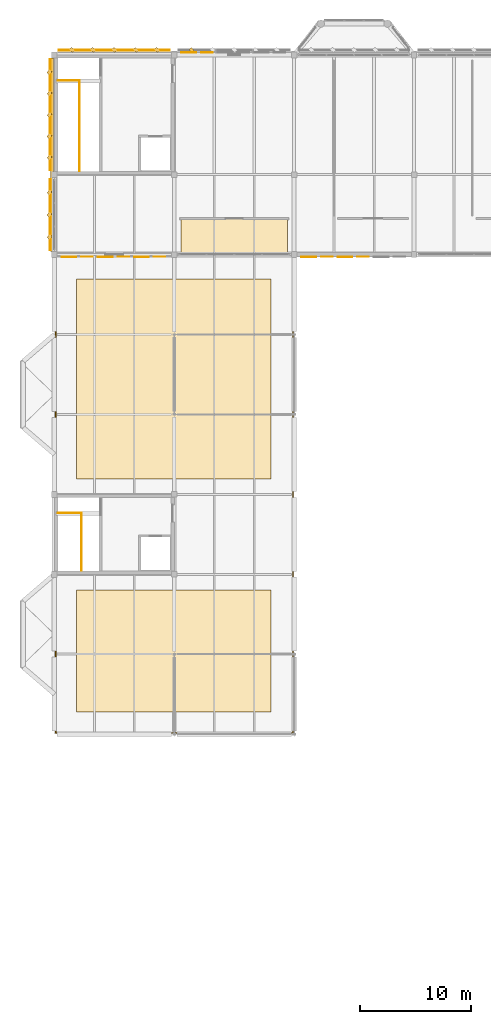
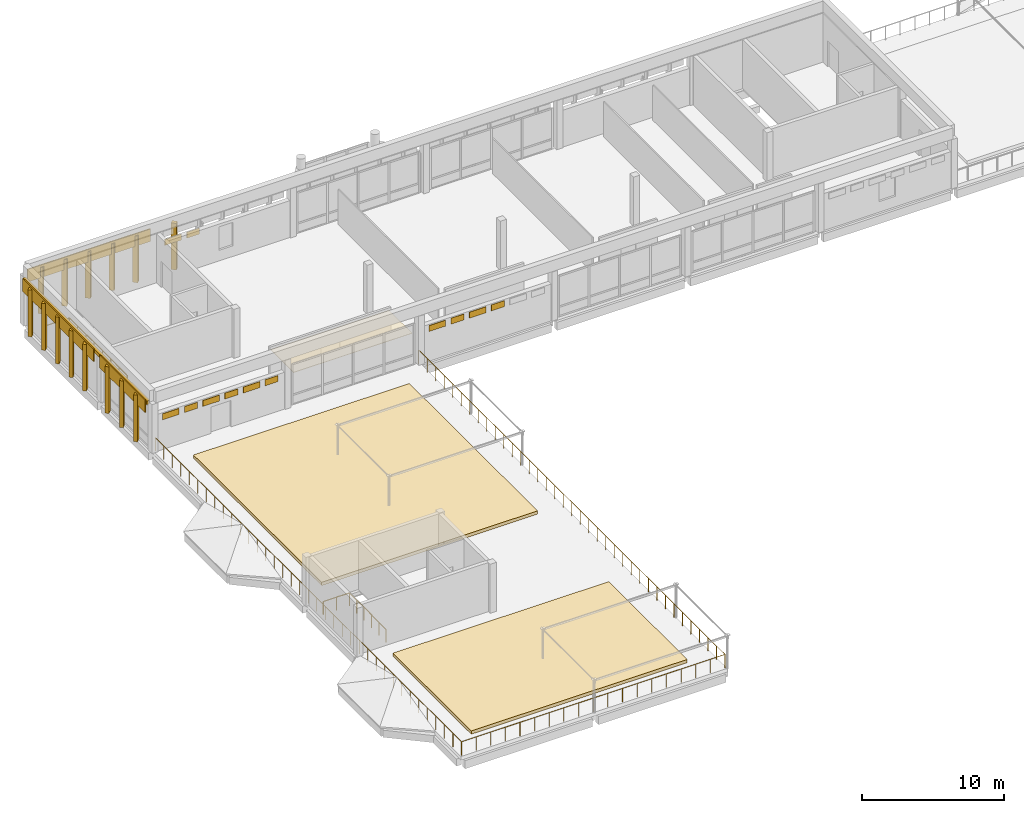
# One storey, part 29 of 33: 33 coverings, 3 railings.
"""IFC4 building model written with IfcOpenShell, lengths in metres."""

from ifc_helpers import new_model, si_unit, direction, frame, origin, origin_2d, place, context, subcontext, project, spatial, polyline, rectangle, circle, outline, extrude, material, layer, layer_set, type_object, element, save


model = new_model("IFC4")

# Units and contexts
model_context = context("Model", 3, precision=1e-05, world=origin(), true_north=direction((0.0, 1.0)))
body_context = subcontext(model_context, "Body", "Model", "MODEL_VIEW")
ifc_project = project(units=[si_unit("LENGTHUNIT", "METRE"), si_unit("AREAUNIT", "SQUARE_METRE"), si_unit("VOLUMEUNIT", "CUBIC_METRE"), si_unit("PLANEANGLEUNIT", "RADIAN"), si_unit("MASSUNIT", "GRAM", prefix="KILO")], contexts=[model_context])

# Site, building, storey
site_placement = place(None, origin())
site = spatial("IfcSite", under=ifc_project, at=site_placement, CompositionType="ELEMENT")
building_placement = place(site_placement, origin())
building = spatial("IfcBuilding", under=site, at=building_placement, Name="Lusvemor Sports Hall", CompositionType="ELEMENT")
storey_placement = place(building_placement, frame((0.0, 0.0, 19.199951171875)))
storey = spatial("IfcBuildingStorey", under=building, at=storey_placement, Name="L04", CompositionType="ELEMENT", Elevation=19.199951171875)

# Coverings
ifc_material_1 = material(Name="Precast granite-faced Concrete C40/50 architectural cladding", Category="masonry")
ifc_layer_1 = layer(ifc_material_1, 0.055908203125)
ifc_layer_set_1 = layer_set([ifc_layer_1], Name="Precast granite-faced Concrete C40/50 architectural cladding")
covering_type_1 = type_object("IfcCoveringType", Name="CLAD_RELIEF_FRIEZE", PredefinedType="CLADDING", material=ifc_layer_set_1)
covering_1_placement = place(storey_placement, frame((-0.219970703125, 106.199951171875, 3.8798828125), z_axis=(0.0, 0.0, 1.0), x_axis=(1.0, 0.0, 0.0)))
element("IfcCovering", 1, at=covering_1_placement, inside=storey, type_object=covering_type_1, Name="Art Nouveau Sculpted Roofline Cornice 1150", PredefinedType="CLADDING", context=body_context, shape_type="SweptSolid", body=[
    extrude(rectangle(XDim=0.239990234375, YDim=17.39990234375, at=origin_2d()), origin(), (0.0, 0.0, 1.0), 0.320068359375),
])
ifc_material_2 = material(Name="Emerald polychrome glazed ceramic cladding on Concrete C40/50 backing", Category="concrete")
ifc_layer_2 = layer(ifc_material_2, 0.0458984375)
ifc_layer_set_2 = layer_set([ifc_layer_2], Name="Emerald polychrome glazed ceramic cladding on Concrete C40/50 backing")
covering_type_2 = type_object("IfcCoveringType", Name="CLAD_WAVE_EMERALD", PredefinedType="CLADDING", material=ifc_layer_set_2)
for number, where, z_axis, x_axis, name in (
    (2, (12.11669921875, 115.39794921875, 2.56494140625), (0.0, 0.0, 1.0), (1.0, 0.0, 0.0), "Art Nouveau Patterned Cladding PS-EW-L04-N-1-1-1"),
    (3, (1.316650390625, 97.001953125, 2.56494140625), (0.0, 0.0, 1.0), (1.0, 0.0, 0.0), "Art Nouveau Patterned Cladding PS-EW-L04-S-3-0-1"),
    (4, (4.583251953125, 97.001953125, 2.56494140625), (0.0, 0.0, 1.0), (1.0, 0.0, 0.0), "Art Nouveau Patterned Cladding PS-EW-L04-S-3-0-3"),
    (5, (7.85009765625, 97.001953125, 2.56494140625), (0.0, 0.0, 1.0), (1.0, 0.0, 0.0), "Art Nouveau Patterned Cladding PS-EW-L04-S-3-0-5"),
    (6, (22.916748046875, 97.001953125, 2.56494140625), (0.0, 0.0, 1.0), (1.0, 0.0, 0.0), "Art Nouveau Patterned Cladding PS-EW-L04-S-3-2-1"),
    (7, (26.183349609375, 97.001953125, 2.56494140625), (0.0, 0.0, 1.0), (1.0, 0.0, 0.0), "Art Nouveau Patterned Cladding PS-EW-L04-S-3-2-3"),
):
    element("IfcCovering", number, at=place(storey_placement, frame(where, z_axis=z_axis, x_axis=x_axis)), inside=storey, type_object=covering_type_2, Name=name, PredefinedType="CLADDING", context=body_context, shape_type="SweptSolid", body=[
        extrude(rectangle(XDim=1.33935546875, YDim=0.0458984375, at=origin_2d()), origin(), (0.0, 0.0, 1.0), 0.510009765625),
    ])
for number, where, z_axis, x_axis, name in (
    (8, (3.47998046875, 115.639892578125, 0.10009765625), (0.0, 0.0, 1.0), (0.707106781187, 0.707106781187, 0.0), "Patterned Diamond Cladding Rib 522"),
    (9, (7.320068359375, 115.639892578125, 0.10009765625), (0.0, 0.0, 1.0), (0.707106781187, 0.707106781187, 0.0), "Patterned Diamond Cladding Rib 524"),
):
    element("IfcCovering", number, at=place(storey_placement, frame(where, z_axis=z_axis, x_axis=x_axis)), inside=storey, type_object=covering_type_2, Name=name, PredefinedType="CLADDING", context=body_context, shape_type="SweptSolid", body=[
        extrude(rectangle(XDim=0.280029296875, YDim=0.3798828125, at=origin_2d()), origin(), (0.0, 0.0, 1.0), 4.0),
    ])
for number, where, z_axis, x_axis, name in (
    (10, (-0.43994140625, 100.800048828125, 0.10009765625), (0.0, 0.0, 1.0), (0.707106781187, 0.707106781187, 0.0), "Patterned Diamond Cladding Rib 1118"),
    (11, (-0.43994140625, 107.8798828125, 0.10009765625), (0.0, 0.0, 1.0), (0.707106781187, 0.707106781187, 0.0), "Patterned Diamond Cladding Rib 1146"),
    (12, (-0.43994140625, 111.719970703125, 0.10009765625), (0.0, 0.0, 1.0), (0.707106781187, 0.707106781187, 0.0), "Patterned Diamond Cladding Rib 1148"),
):
    element("IfcCovering", number, at=place(storey_placement, frame(where, z_axis=z_axis, x_axis=x_axis)), inside=storey, type_object=covering_type_2, Name=name, PredefinedType="CLADDING", context=body_context, shape_type="SweptSolid", body=[
        extrude(rectangle(XDim=0.3798828125, YDim=0.280029296875, at=origin_2d()), origin(), (0.0, 0.0, 1.0), 4.0),
    ])
ifc_material_3 = material(Name="Warm terracotta Art Nouveau ceramic cladding on Concrete C40/50 backing", Category="masonry")
ifc_layer_3 = layer(ifc_material_3, 0.0380859375)
ifc_layer_set_3 = layer_set([ifc_layer_3], Name="Warm terracotta Art Nouveau ceramic cladding on Concrete C40/50 backing")
covering_type_3 = type_object("IfcCoveringType", Name="CLAD_WAVE_OCHRE", PredefinedType="CLADDING", material=ifc_layer_set_3)
for number, where, z_axis, x_axis, name in (
    (13, (13.75, 115.39404296875, 2.56494140625), (0.0, 0.0, 1.0), (1.0, 0.0, 0.0), "Art Nouveau Patterned Cladding PS-EW-L04-N-1-1-2"),
    (14, (2.949951171875, 97.006103515625, 2.56494140625), (0.0, 0.0, 1.0), (1.0, 0.0, 0.0), "Art Nouveau Patterned Cladding PS-EW-L04-S-3-0-2"),
    (15, (6.216796875, 97.006103515625, 2.56494140625), (0.0, 0.0, 1.0), (1.0, 0.0, 0.0), "Art Nouveau Patterned Cladding PS-EW-L04-S-3-0-4"),
    (16, (9.4833984375, 97.006103515625, 2.56494140625), (0.0, 0.0, 1.0), (1.0, 0.0, 0.0), "Art Nouveau Patterned Cladding PS-EW-L04-S-3-0-6"),
    (17, (24.550048828125, 97.006103515625, 2.56494140625), (0.0, 0.0, 1.0), (1.0, 0.0, 0.0), "Art Nouveau Patterned Cladding PS-EW-L04-S-3-2-2"),
    (18, (27.816650390625, 97.006103515625, 2.56494140625), (0.0, 0.0, 1.0), (1.0, 0.0, 0.0), "Art Nouveau Patterned Cladding PS-EW-L04-S-3-2-4"),
):
    element("IfcCovering", number, at=place(storey_placement, frame(where, z_axis=z_axis, x_axis=x_axis)), inside=storey, type_object=covering_type_3, Name=name, PredefinedType="CLADDING", context=body_context, shape_type="SweptSolid", body=[
        extrude(rectangle(XDim=1.04541015625, YDim=0.0380859375, at=origin_2d()), origin(), (0.0, 0.0, 1.0), 0.510009765625),
    ])
covering_2_placement = place(storey_placement, frame((5.39990234375, 115.590087890625, 3.179931640625), z_axis=(0.0, 0.0, 1.0), x_axis=(1.0, 0.0, 0.0)))
element("IfcCovering", 19, at=covering_2_placement, inside=storey, type_object=covering_type_3, Name="Art Nouveau Spandrel Cornice 520", PredefinedType="CLADDING", context=body_context, shape_type="SweptSolid", body=[
    extrude(rectangle(XDim=9.97998046875, YDim=0.090087890625, at=origin_2d()), origin(), (0.0, 0.0, 1.0), 1.080078125),
])
covering_3_placement = place(storey_placement, frame((-0.389892578125, 100.800048828125, 3.179931640625), z_axis=(0.0, 0.0, 1.0), x_axis=(1.0, 0.0, 0.0)))
element("IfcCovering", 20, at=covering_3_placement, inside=storey, type_object=covering_type_3, Name="Art Nouveau Spandrel Cornice 1116", PredefinedType="CLADDING", context=body_context, shape_type="SweptSolid", body=[
    extrude(rectangle(XDim=0.090087890625, YDim=6.3798828125, at=origin_2d()), origin(), (0.0, 0.0, 1.0), 1.080078125),
])
covering_4_placement = place(storey_placement, frame((-0.389892578125, 109.800048828125, 3.179931640625), z_axis=(0.0, 0.0, 1.0), x_axis=(1.0, 0.0, 0.0)))
element("IfcCovering", 21, at=covering_4_placement, inside=storey, type_object=covering_type_3, Name="Art Nouveau Spandrel Cornice 1144", PredefinedType="CLADDING", context=body_context, shape_type="SweptSolid", body=[
    extrude(rectangle(XDim=0.090087890625, YDim=9.97998046875, at=origin_2d()), origin(), (0.0, 0.0, 1.0), 1.080078125),
])
ifc_material_4 = material(Name="Perforated mineral-fibre acoustic suspended ceiling")
ifc_layer_4 = layer(ifc_material_4, 0.033935546875)
ifc_layer_set_4 = layer_set([ifc_layer_4], Name="Perforated mineral-fibre acoustic suspended ceiling")
covering_type_4 = type_object("IfcCoveringType", Name="COV_CEIL_ACOUST", PredefinedType="CEILING", material=ifc_layer_set_4)
covering_5_placement = place(storey_placement, frame((0.0, 0.0, 2.699951171875)))
element("IfcCovering", 22, at=covering_5_placement, inside=storey, type_object=covering_type_4, Name="Acoustic Ceiling 5", PredefinedType="CEILING", context=body_context, shape_type="SweptSolid", body=[
    extrude(outline(polyline([(11.39990234375, 97.199951171875), (21.0, 97.199951171875), (21.0, 100.449951171875), (11.39990234375, 100.449951171875), (11.39990234375, 97.199951171875)])), origin(), (0.0, 0.0, 1.0), 0.0341796875),
])
ifc_material_5 = material(Name="Planted coastal botanical green roof garden bed")
ifc_layer_5 = layer(ifc_material_5, 0.280029296875)
ifc_layer_set_5 = layer_set([ifc_layer_5], Name="Planted coastal botanical green roof garden bed")
covering_type_5 = type_object("IfcCoveringType", Name="COV_GARDEN_BED", PredefinedType="ROOFING", material=ifc_layer_set_5)
covering_6_placement = place(storey_placement, origin())
element("IfcCovering", 23, at=covering_6_placement, inside=storey, type_object=covering_type_5, Name="Planted Coastal Roof Garden Bed 4", PredefinedType="ROOFING", context=body_context, shape_type="SweptSolid", body=[
    extrude(outline(polyline([(2.0, 56.0), (19.5, 56.0), (19.5, 67.0), (2.0, 67.0), (2.0, 56.0)])), origin(), (0.0, 0.0, 1.0), 0.280029296875),
])
covering_7_placement = place(storey_placement, origin())
element("IfcCovering", 24, at=covering_7_placement, inside=storey, type_object=covering_type_5, Name="Planted Coastal Roof Garden Bed 5", PredefinedType="ROOFING", context=body_context, shape_type="SweptSolid", body=[
    extrude(outline(polyline([(2.0, 77.0), (19.5, 77.0), (19.5, 95.0), (2.0, 95.0), (2.0, 77.0)])), origin(), (0.0, 0.0, 1.0), 0.280029296875),
])
ifc_material_6 = material(Name="Warm terracotta Art Nouveau ceramic cladding on Concrete C40/50 backing", Category="masonry")
ifc_layer_6 = layer(ifc_material_6, 0.449951171875)
ifc_layer_set_6 = layer_set([ifc_layer_6], Name="Warm terracotta Art Nouveau ceramic cladding on Concrete C40/50 backing")
covering_type_6 = type_object("IfcCoveringType", Name="FIN_BRISE_CER_450", PredefinedType="MOLDING", material=ifc_layer_set_6)
for number, where, z_axis, x_axis, name in (
    (25, (1.56005859375, 115.639892578125, 0.10009765625), (0.0, 0.0, 1.0), (0.707106781187, 0.707106781187, 0.0), "Patterned Diamond Cladding Rib 521"),
    (26, (5.39990234375, 115.639892578125, 0.10009765625), (0.0, 0.0, 1.0), (0.707106781187, 0.707106781187, 0.0), "Patterned Diamond Cladding Rib 523"),
    (27, (9.239990234375, 115.639892578125, 0.10009765625), (0.0, 0.0, 1.0), (0.707106781187, 0.707106781187, 0.0), "Patterned Diamond Cladding Rib 525"),
    (28, (12.360107421875, 115.639892578125, 0.10009765625), (0.0, 0.0, 1.0), (0.707106781187, 0.707106781187, 0.0), "Patterned Diamond Cladding Rib 551"),
):
    element("IfcCovering", number, at=place(storey_placement, frame(where, z_axis=z_axis, x_axis=x_axis)), inside=storey, type_object=covering_type_6, Name=name, PredefinedType="MOLDING", context=body_context, shape_type="SweptSolid", body=[
        extrude(rectangle(XDim=0.280029296875, YDim=0.3798828125, at=origin_2d()), origin(), (0.0, 0.0, 1.0), 4.0),
    ])
for number, where, z_axis, x_axis, name in (
    (29, (-0.43994140625, 98.800048828125, 0.10009765625), (0.0, 0.0, 1.0), (0.707106781187, 0.707106781187, 0.0), "Patterned Diamond Cladding Rib 1117"),
    (30, (-0.43994140625, 102.800048828125, 0.10009765625), (0.0, 0.0, 1.0), (0.707106781187, 0.707106781187, 0.0), "Patterned Diamond Cladding Rib 1119"),
    (31, (-0.43994140625, 105.9599609375, 0.10009765625), (0.0, 0.0, 1.0), (0.707106781187, 0.707106781187, 0.0), "Patterned Diamond Cladding Rib 1145"),
    (32, (-0.43994140625, 109.800048828125, 0.10009765625), (0.0, 0.0, 1.0), (0.707106781187, 0.707106781187, 0.0), "Patterned Diamond Cladding Rib 1147"),
    (33, (-0.43994140625, 113.639892578125, 0.10009765625), (0.0, 0.0, 1.0), (0.707106781187, 0.707106781187, 0.0), "Patterned Diamond Cladding Rib 1149"),
):
    element("IfcCovering", number, at=place(storey_placement, frame(where, z_axis=z_axis, x_axis=x_axis)), inside=storey, type_object=covering_type_6, Name=name, PredefinedType="MOLDING", context=body_context, shape_type="SweptSolid", body=[
        extrude(rectangle(XDim=0.3798828125, YDim=0.280029296875, at=origin_2d()), origin(), (0.0, 0.0, 1.0), 4.0),
    ])

# Railings
ifc_material_7 = material(Name="Bronze-finished wrought-steel Art Nouveau balustrade", Category="steel")
railing_type_1 = type_object("IfcRailingType", Name="RAIL_STAIR_GUARD_112", PredefinedType="GUARDRAIL", material=ifc_material_7)
railing_1_placement = place(storey_placement, frame((0.340087890625, 112.8701171875, 0.0)))
element("IfcRailing", 34, at=railing_1_placement, inside=storey, type_object=railing_type_1, Name="Stairwell C1 Top Guard (L04)", PredefinedType="GUARDRAIL", context=body_context, shape_type="SweptSolid", body=[
    extrude(circle(Radius=0.02392578125, at=origin_2d()), frame((0.0, 0.0, 1.09619140625), z_axis=(1.0, 0.0, 0.0), x_axis=(0.0, 1.0, 0.0)), (0.0, 0.0, 1.0), 1.919921875),
    extrude(circle(Radius=0.02392578125, at=origin_2d()), frame((1.919921875, 0.0, 1.09619140625), z_axis=(0.0, -1.0, 0.0), x_axis=(1.0, 0.0, 0.0)), (0.0, 0.0, 1.0), 8.130126953125),
    extrude(circle(Radius=0.02099609375, at=origin_2d()), origin(), (0.0, 0.0, 1.0), 1.072021484375),
    extrude(circle(Radius=0.02099609375, at=origin_2d()), frame((0.9599609375, 0.0, 0.0)), (0.0, 0.0, 1.0), 1.072021484375),
    extrude(circle(Radius=0.02099609375, at=origin_2d()), frame((1.919921875, 0.0, 0.0)), (0.0, 0.0, 1.0), 1.072021484375),
    extrude(circle(Radius=0.02099609375, at=origin_2d()), frame((1.919921875, -1.161376953125, 0.0)), (0.0, 0.0, 1.0), 1.072021484375),
    extrude(circle(Radius=0.02099609375, at=origin_2d()), frame((1.919921875, -2.322998046875, 0.0)), (0.0, 0.0, 1.0), 1.072021484375),
    extrude(circle(Radius=0.02099609375, at=origin_2d()), frame((1.919921875, -3.484375, 0.0)), (0.0, 0.0, 1.0), 1.072021484375),
    extrude(circle(Radius=0.02099609375, at=origin_2d()), frame((1.919921875, -4.645751953125, 0.0)), (0.0, 0.0, 1.0), 1.072021484375),
    extrude(circle(Radius=0.02099609375, at=origin_2d()), frame((1.919921875, -5.80712890625, 0.0)), (0.0, 0.0, 1.0), 1.072021484375),
    extrude(circle(Radius=0.02099609375, at=origin_2d()), frame((1.919921875, -6.96875, 0.0)), (0.0, 0.0, 1.0), 1.072021484375),
    extrude(circle(Radius=0.02099609375, at=origin_2d()), frame((1.919921875, -8.130126953125, 0.0)), (0.0, 0.0, 1.0), 1.072021484375),
])
railing_2_placement = place(storey_placement, frame((0.340087890625, 73.89990234375, 0.0)))
element("IfcRailing", 35, at=railing_2_placement, inside=storey, type_object=railing_type_1, Name="Stairwell C3 Top Guard (L04)", PredefinedType="GUARDRAIL", context=body_context, shape_type="SweptSolid", body=[
    extrude(circle(Radius=0.02392578125, at=origin_2d()), frame((0.0, 0.0, 1.09619140625), z_axis=(1.0, 0.0, 0.0), x_axis=(0.0, 1.0, 0.0)), (0.0, 0.0, 1.0), 2.119873046875),
    extrude(circle(Radius=0.02392578125, at=origin_2d()), frame((2.119873046875, 0.0, 1.09619140625), z_axis=(0.0, -1.0, 0.0), x_axis=(1.0, 0.0, 0.0)), (0.0, 0.0, 1.0), 5.159912109375),
    extrude(circle(Radius=0.02099609375, at=origin_2d()), origin(), (0.0, 0.0, 1.0), 1.072021484375),
    extrude(circle(Radius=0.02099609375, at=origin_2d()), frame((1.06005859375, 0.0, 0.0)), (0.0, 0.0, 1.0), 1.072021484375),
    extrude(circle(Radius=0.02099609375, at=origin_2d()), frame((2.119873046875, 0.0, 0.0)), (0.0, 0.0, 1.0), 1.072021484375),
    extrude(circle(Radius=0.02099609375, at=origin_2d()), frame((2.119873046875, -1.031982421875, 0.0)), (0.0, 0.0, 1.0), 1.072021484375),
    extrude(circle(Radius=0.02099609375, at=origin_2d()), frame((2.119873046875, -2.06396484375, 0.0)), (0.0, 0.0, 1.0), 1.072021484375),
    extrude(circle(Radius=0.02099609375, at=origin_2d()), frame((2.119873046875, -3.095947265625, 0.0)), (0.0, 0.0, 1.0), 1.072021484375),
    extrude(circle(Radius=0.02099609375, at=origin_2d()), frame((2.119873046875, -4.1279296875, 0.0)), (0.0, 0.0, 1.0), 1.072021484375),
    extrude(circle(Radius=0.02099609375, at=origin_2d()), frame((2.119873046875, -5.159912109375, 0.0)), (0.0, 0.0, 1.0), 1.072021484375),
])
ifc_material_8 = material(Name="Bronze-finished wrought-steel Art Nouveau balustrade", Category="steel")
railing_type_2 = type_object("IfcRailingType", Name="RAIL_TERR_GUARD_118", PredefinedType="GUARDRAIL", material=ifc_material_8)
railing_3_placement = place(storey_placement, frame((0.1201171875, 97.10009765625, 0.0)))
element("IfcRailing", 36, at=railing_3_placement, inside=storey, type_object=railing_type_2, Name="West Planted Roof Garden Guard", PredefinedType="GUARDRAIL", context=body_context, shape_type="SweptSolid", body=[
    extrude(circle(Radius=0.02392578125, at=origin_2d()), frame((0.0, 0.0, 1.15576171875), z_axis=(0.0, -1.0, 0.0), x_axis=(1.0, 0.0, 0.0)), (0.0, 0.0, 1.0), 42.97998046875),
    extrude(circle(Radius=0.02392578125, at=origin_2d()), frame((0.0, -42.97998046875, 1.15576171875), z_axis=(1.0, 0.0, 0.0), x_axis=(0.0, 1.0, 0.0)), (0.0, 0.0, 1.0), 21.35986328125),
    extrude(circle(Radius=0.02392578125, at=origin_2d()), frame((21.35986328125, -42.97998046875, 1.15576171875), z_axis=(0.0, 1.0, 0.0), x_axis=(-1.0, 0.0, 0.0)), (0.0, 0.0, 1.0), 42.97998046875),
    extrude(circle(Radius=0.02099609375, at=origin_2d()), origin(), (0.0, 0.0, 1.0), 1.1318359375),
    extrude(circle(Radius=0.02099609375, at=origin_2d()), frame((0.0, -1.19384765625, 0.0)), (0.0, 0.0, 1.0), 1.1318359375),
    extrude(circle(Radius=0.02099609375, at=origin_2d()), frame((0.0, -2.3876953125, 0.0)), (0.0, 0.0, 1.0), 1.1318359375),
    extrude(circle(Radius=0.02099609375, at=origin_2d()), frame((0.0, -3.58154296875, 0.0)), (0.0, 0.0, 1.0), 1.1318359375),
    extrude(circle(Radius=0.02099609375, at=origin_2d()), frame((0.0, -4.775634765625, 0.0)), (0.0, 0.0, 1.0), 1.1318359375),
    extrude(circle(Radius=0.02099609375, at=origin_2d()), frame((0.0, -5.969482421875, 0.0)), (0.0, 0.0, 1.0), 1.1318359375),
    extrude(circle(Radius=0.02099609375, at=origin_2d()), frame((0.0, -7.163330078125, 0.0)), (0.0, 0.0, 1.0), 1.1318359375),
    extrude(circle(Radius=0.02099609375, at=origin_2d()), frame((0.0, -8.357177734375, 0.0)), (0.0, 0.0, 1.0), 1.1318359375),
    extrude(circle(Radius=0.02099609375, at=origin_2d()), frame((0.0, -9.551025390625, 0.0)), (0.0, 0.0, 1.0), 1.1318359375),
    extrude(circle(Radius=0.02099609375, at=origin_2d()), frame((0.0, -10.7451171875, 0.0)), (0.0, 0.0, 1.0), 1.1318359375),
    extrude(circle(Radius=0.02099609375, at=origin_2d()), frame((0.0, -11.93896484375, 0.0)), (0.0, 0.0, 1.0), 1.1318359375),
    extrude(circle(Radius=0.02099609375, at=origin_2d()), frame((0.0, -13.1328125, 0.0)), (0.0, 0.0, 1.0), 1.1318359375),
    extrude(circle(Radius=0.02099609375, at=origin_2d()), frame((0.0, -14.32666015625, 0.0)), (0.0, 0.0, 1.0), 1.1318359375),
    extrude(circle(Radius=0.02099609375, at=origin_2d()), frame((0.0, -15.5205078125, 0.0)), (0.0, 0.0, 1.0), 1.1318359375),
    extrude(circle(Radius=0.02099609375, at=origin_2d()), frame((0.0, -16.71435546875, 0.0)), (0.0, 0.0, 1.0), 1.1318359375),
    extrude(circle(Radius=0.02099609375, at=origin_2d()), frame((0.0, -17.908203125, 0.0)), (0.0, 0.0, 1.0), 1.1318359375),
    extrude(circle(Radius=0.02099609375, at=origin_2d()), frame((0.0, -19.102294921875, 0.0)), (0.0, 0.0, 1.0), 1.1318359375),
    extrude(circle(Radius=0.02099609375, at=origin_2d()), frame((0.0, -20.296142578125, 0.0)), (0.0, 0.0, 1.0), 1.1318359375),
    extrude(circle(Radius=0.02099609375, at=origin_2d()), frame((0.0, -21.489990234375, 0.0)), (0.0, 0.0, 1.0), 1.1318359375),
    extrude(circle(Radius=0.02099609375, at=origin_2d()), frame((0.0, -22.683837890625, 0.0)), (0.0, 0.0, 1.0), 1.1318359375),
    extrude(circle(Radius=0.02099609375, at=origin_2d()), frame((0.0, -23.877685546875, 0.0)), (0.0, 0.0, 1.0), 1.1318359375),
    extrude(circle(Radius=0.02099609375, at=origin_2d()), frame((0.0, -25.07177734375, 0.0)), (0.0, 0.0, 1.0), 1.1318359375),
    extrude(circle(Radius=0.02099609375, at=origin_2d()), frame((0.0, -26.265625, 0.0)), (0.0, 0.0, 1.0), 1.1318359375),
    extrude(circle(Radius=0.02099609375, at=origin_2d()), frame((0.0, -27.45947265625, 0.0)), (0.0, 0.0, 1.0), 1.1318359375),
    extrude(circle(Radius=0.02099609375, at=origin_2d()), frame((0.0, -28.6533203125, 0.0)), (0.0, 0.0, 1.0), 1.1318359375),
    extrude(circle(Radius=0.02099609375, at=origin_2d()), frame((0.0, -29.84716796875, 0.0)), (0.0, 0.0, 1.0), 1.1318359375),
    extrude(circle(Radius=0.02099609375, at=origin_2d()), frame((0.0, -31.041015625, 0.0)), (0.0, 0.0, 1.0), 1.1318359375),
    extrude(circle(Radius=0.02099609375, at=origin_2d()), frame((0.0, -32.23486328125, 0.0)), (0.0, 0.0, 1.0), 1.1318359375),
    extrude(circle(Radius=0.02099609375, at=origin_2d()), frame((0.0, -33.428955078125, 0.0)), (0.0, 0.0, 1.0), 1.1318359375),
    extrude(circle(Radius=0.02099609375, at=origin_2d()), frame((0.0, -34.622802734375, 0.0)), (0.0, 0.0, 1.0), 1.1318359375),
    extrude(circle(Radius=0.02099609375, at=origin_2d()), frame((0.0, -35.816650390625, 0.0)), (0.0, 0.0, 1.0), 1.1318359375),
    extrude(circle(Radius=0.02099609375, at=origin_2d()), frame((0.0, -37.010498046875, 0.0)), (0.0, 0.0, 1.0), 1.1318359375),
    extrude(circle(Radius=0.02099609375, at=origin_2d()), frame((0.0, -38.204345703125, 0.0)), (0.0, 0.0, 1.0), 1.1318359375),
    extrude(circle(Radius=0.02099609375, at=origin_2d()), frame((0.0, -39.3984375, 0.0)), (0.0, 0.0, 1.0), 1.1318359375),
    extrude(circle(Radius=0.02099609375, at=origin_2d()), frame((0.0, -40.59228515625, 0.0)), (0.0, 0.0, 1.0), 1.1318359375),
    extrude(circle(Radius=0.02099609375, at=origin_2d()), frame((0.0, -41.7861328125, 0.0)), (0.0, 0.0, 1.0), 1.1318359375),
    extrude(circle(Radius=0.02099609375, at=origin_2d()), frame((0.0, -42.97998046875, 0.0)), (0.0, 0.0, 1.0), 1.1318359375),
    extrude(circle(Radius=0.02099609375, at=origin_2d()), frame((1.186767578125, -42.97998046875, 0.0)), (0.0, 0.0, 1.0), 1.1318359375),
    extrude(circle(Radius=0.02099609375, at=origin_2d()), frame((2.373291015625, -42.97998046875, 0.0)), (0.0, 0.0, 1.0), 1.1318359375),
    extrude(circle(Radius=0.02099609375, at=origin_2d()), frame((3.56005859375, -42.97998046875, 0.0)), (0.0, 0.0, 1.0), 1.1318359375),
    extrude(circle(Radius=0.02099609375, at=origin_2d()), frame((4.74658203125, -42.97998046875, 0.0)), (0.0, 0.0, 1.0), 1.1318359375),
    extrude(circle(Radius=0.02099609375, at=origin_2d()), frame((5.933349609375, -42.97998046875, 0.0)), (0.0, 0.0, 1.0), 1.1318359375),
    extrude(circle(Radius=0.02099609375, at=origin_2d()), frame((7.119873046875, -42.97998046875, 0.0)), (0.0, 0.0, 1.0), 1.1318359375),
    extrude(circle(Radius=0.02099609375, at=origin_2d()), frame((8.306640625, -42.97998046875, 0.0)), (0.0, 0.0, 1.0), 1.1318359375),
    extrude(circle(Radius=0.02099609375, at=origin_2d()), frame((9.4931640625, -42.97998046875, 0.0)), (0.0, 0.0, 1.0), 1.1318359375),
    extrude(circle(Radius=0.02099609375, at=origin_2d()), frame((10.679931640625, -42.97998046875, 0.0)), (0.0, 0.0, 1.0), 1.1318359375),
    extrude(circle(Radius=0.02099609375, at=origin_2d()), frame((11.86669921875, -42.97998046875, 0.0)), (0.0, 0.0, 1.0), 1.1318359375),
    extrude(circle(Radius=0.02099609375, at=origin_2d()), frame((13.05322265625, -42.97998046875, 0.0)), (0.0, 0.0, 1.0), 1.1318359375),
    extrude(circle(Radius=0.02099609375, at=origin_2d()), frame((14.239990234375, -42.97998046875, 0.0)), (0.0, 0.0, 1.0), 1.1318359375),
    extrude(circle(Radius=0.02099609375, at=origin_2d()), frame((15.426513671875, -42.97998046875, 0.0)), (0.0, 0.0, 1.0), 1.1318359375),
    extrude(circle(Radius=0.02099609375, at=origin_2d()), frame((16.61328125, -42.97998046875, 0.0)), (0.0, 0.0, 1.0), 1.1318359375),
    extrude(circle(Radius=0.02099609375, at=origin_2d()), frame((17.7998046875, -42.97998046875, 0.0)), (0.0, 0.0, 1.0), 1.1318359375),
    extrude(circle(Radius=0.02099609375, at=origin_2d()), frame((18.986572265625, -42.97998046875, 0.0)), (0.0, 0.0, 1.0), 1.1318359375),
    extrude(circle(Radius=0.02099609375, at=origin_2d()), frame((20.173095703125, -42.97998046875, 0.0)), (0.0, 0.0, 1.0), 1.1318359375),
    extrude(circle(Radius=0.02099609375, at=origin_2d()), frame((21.35986328125, -42.97998046875, 0.0)), (0.0, 0.0, 1.0), 1.1318359375),
    extrude(circle(Radius=0.02099609375, at=origin_2d()), frame((21.35986328125, -41.7861328125, 0.0)), (0.0, 0.0, 1.0), 1.1318359375),
    extrude(circle(Radius=0.02099609375, at=origin_2d()), frame((21.35986328125, -40.59228515625, 0.0)), (0.0, 0.0, 1.0), 1.1318359375),
    extrude(circle(Radius=0.02099609375, at=origin_2d()), frame((21.35986328125, -39.3984375, 0.0)), (0.0, 0.0, 1.0), 1.1318359375),
    extrude(circle(Radius=0.02099609375, at=origin_2d()), frame((21.35986328125, -38.204345703125, 0.0)), (0.0, 0.0, 1.0), 1.1318359375),
    extrude(circle(Radius=0.02099609375, at=origin_2d()), frame((21.35986328125, -37.010498046875, 0.0)), (0.0, 0.0, 1.0), 1.1318359375),
    extrude(circle(Radius=0.02099609375, at=origin_2d()), frame((21.35986328125, -35.816650390625, 0.0)), (0.0, 0.0, 1.0), 1.1318359375),
    extrude(circle(Radius=0.02099609375, at=origin_2d()), frame((21.35986328125, -34.622802734375, 0.0)), (0.0, 0.0, 1.0), 1.1318359375),
    extrude(circle(Radius=0.02099609375, at=origin_2d()), frame((21.35986328125, -33.428955078125, 0.0)), (0.0, 0.0, 1.0), 1.1318359375),
    extrude(circle(Radius=0.02099609375, at=origin_2d()), frame((21.35986328125, -32.23486328125, 0.0)), (0.0, 0.0, 1.0), 1.1318359375),
    extrude(circle(Radius=0.02099609375, at=origin_2d()), frame((21.35986328125, -31.041015625, 0.0)), (0.0, 0.0, 1.0), 1.1318359375),
    extrude(circle(Radius=0.02099609375, at=origin_2d()), frame((21.35986328125, -29.84716796875, 0.0)), (0.0, 0.0, 1.0), 1.1318359375),
    extrude(circle(Radius=0.02099609375, at=origin_2d()), frame((21.35986328125, -28.6533203125, 0.0)), (0.0, 0.0, 1.0), 1.1318359375),
    extrude(circle(Radius=0.02099609375, at=origin_2d()), frame((21.35986328125, -27.45947265625, 0.0)), (0.0, 0.0, 1.0), 1.1318359375),
    extrude(circle(Radius=0.02099609375, at=origin_2d()), frame((21.35986328125, -26.265625, 0.0)), (0.0, 0.0, 1.0), 1.1318359375),
    extrude(circle(Radius=0.02099609375, at=origin_2d()), frame((21.35986328125, -25.07177734375, 0.0)), (0.0, 0.0, 1.0), 1.1318359375),
    extrude(circle(Radius=0.02099609375, at=origin_2d()), frame((21.35986328125, -23.877685546875, 0.0)), (0.0, 0.0, 1.0), 1.1318359375),
    extrude(circle(Radius=0.02099609375, at=origin_2d()), frame((21.35986328125, -22.683837890625, 0.0)), (0.0, 0.0, 1.0), 1.1318359375),
    extrude(circle(Radius=0.02099609375, at=origin_2d()), frame((21.35986328125, -21.489990234375, 0.0)), (0.0, 0.0, 1.0), 1.1318359375),
    extrude(circle(Radius=0.02099609375, at=origin_2d()), frame((21.35986328125, -20.296142578125, 0.0)), (0.0, 0.0, 1.0), 1.1318359375),
    extrude(circle(Radius=0.02099609375, at=origin_2d()), frame((21.35986328125, -19.102294921875, 0.0)), (0.0, 0.0, 1.0), 1.1318359375),
    extrude(circle(Radius=0.02099609375, at=origin_2d()), frame((21.35986328125, -17.908203125, 0.0)), (0.0, 0.0, 1.0), 1.1318359375),
    extrude(circle(Radius=0.02099609375, at=origin_2d()), frame((21.35986328125, -16.71435546875, 0.0)), (0.0, 0.0, 1.0), 1.1318359375),
    extrude(circle(Radius=0.02099609375, at=origin_2d()), frame((21.35986328125, -15.5205078125, 0.0)), (0.0, 0.0, 1.0), 1.1318359375),
    extrude(circle(Radius=0.02099609375, at=origin_2d()), frame((21.35986328125, -14.32666015625, 0.0)), (0.0, 0.0, 1.0), 1.1318359375),
    extrude(circle(Radius=0.02099609375, at=origin_2d()), frame((21.35986328125, -13.1328125, 0.0)), (0.0, 0.0, 1.0), 1.1318359375),
    extrude(circle(Radius=0.02099609375, at=origin_2d()), frame((21.35986328125, -11.93896484375, 0.0)), (0.0, 0.0, 1.0), 1.1318359375),
    extrude(circle(Radius=0.02099609375, at=origin_2d()), frame((21.35986328125, -10.7451171875, 0.0)), (0.0, 0.0, 1.0), 1.1318359375),
    extrude(circle(Radius=0.02099609375, at=origin_2d()), frame((21.35986328125, -9.551025390625, 0.0)), (0.0, 0.0, 1.0), 1.1318359375),
    extrude(circle(Radius=0.02099609375, at=origin_2d()), frame((21.35986328125, -8.357177734375, 0.0)), (0.0, 0.0, 1.0), 1.1318359375),
    extrude(circle(Radius=0.02099609375, at=origin_2d()), frame((21.35986328125, -7.163330078125, 0.0)), (0.0, 0.0, 1.0), 1.1318359375),
    extrude(circle(Radius=0.02099609375, at=origin_2d()), frame((21.35986328125, -5.969482421875, 0.0)), (0.0, 0.0, 1.0), 1.1318359375),
    extrude(circle(Radius=0.02099609375, at=origin_2d()), frame((21.35986328125, -4.775634765625, 0.0)), (0.0, 0.0, 1.0), 1.1318359375),
    extrude(circle(Radius=0.02099609375, at=origin_2d()), frame((21.35986328125, -3.58154296875, 0.0)), (0.0, 0.0, 1.0), 1.1318359375),
    extrude(circle(Radius=0.02099609375, at=origin_2d()), frame((21.35986328125, -2.3876953125, 0.0)), (0.0, 0.0, 1.0), 1.1318359375),
    extrude(circle(Radius=0.02099609375, at=origin_2d()), frame((21.35986328125, -1.19384765625, 0.0)), (0.0, 0.0, 1.0), 1.1318359375),
    extrude(circle(Radius=0.02099609375, at=origin_2d()), frame((21.35986328125, 0.0, 0.0)), (0.0, 0.0, 1.0), 1.1318359375),
])

save(model, "model.ifc")
